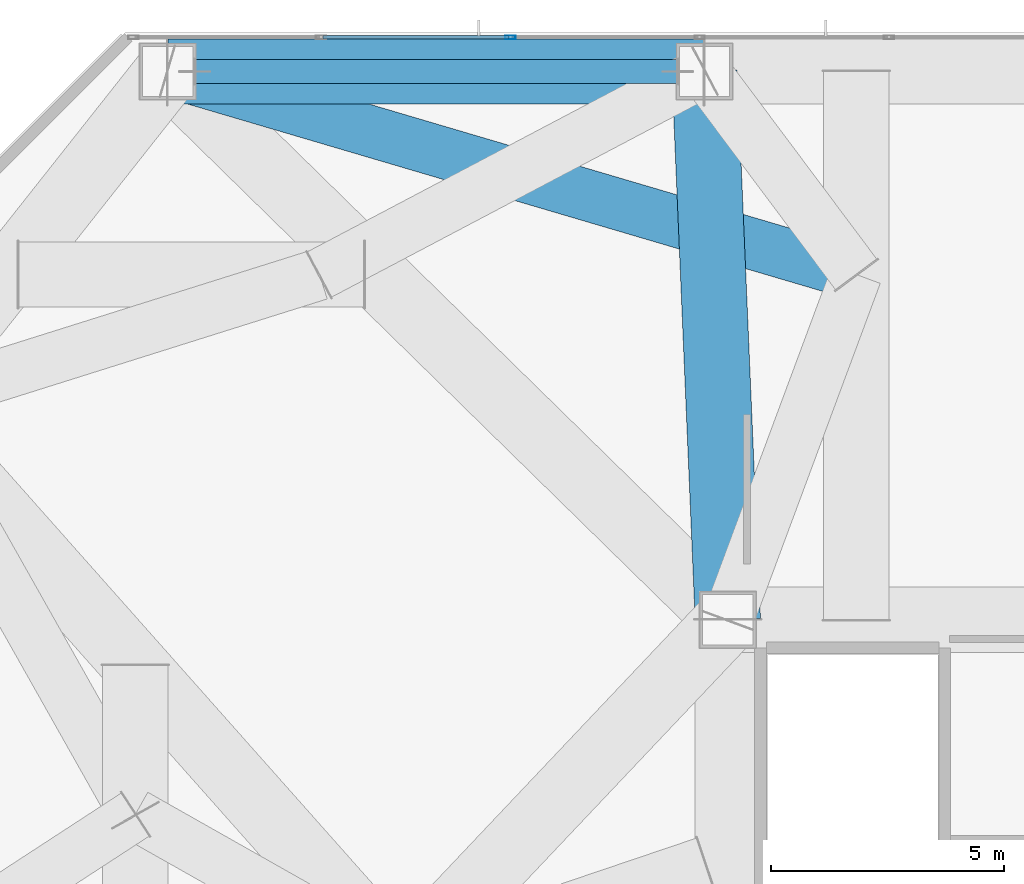
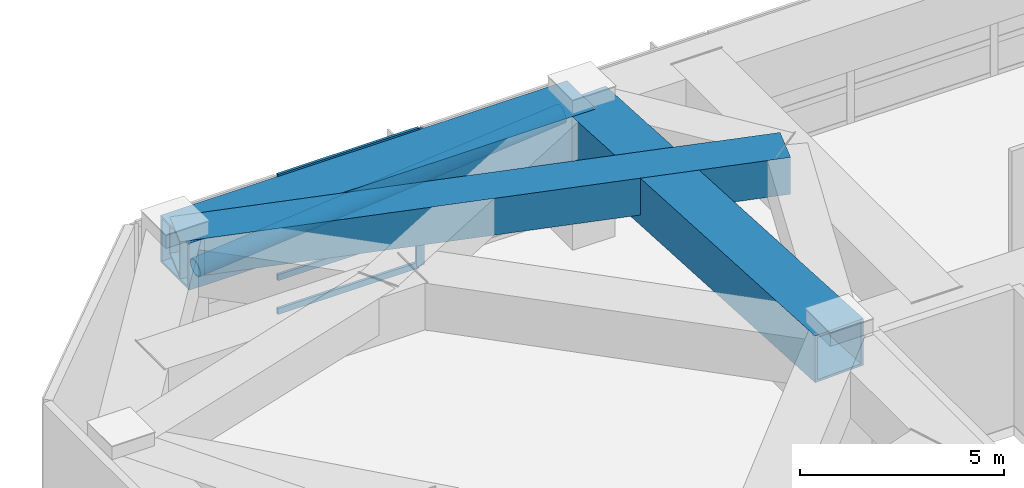
# One storey, part 5 of 27: 5 members, 3 beams, 1 element without a shape of its own.
"""IFC4 building model written with IfcOpenShell, lengths in metres."""

from ifc_helpers import new_model, si_unit, direction, frame, origin, origin_2d, place, context, subcontext, project, spatial, hollow_rectangle, hollow_circle, extrude, material, material_profile, profile_set, type_object, element, aggregate, save


model = new_model("IFC4")

# Units and contexts
model_context = context("Model", 3, precision=1e-05, world=origin(), true_north=direction((0.0, 1.0)))
body_context = subcontext(model_context, "Body", "Model", "MODEL_VIEW")
ifc_project = project(units=[si_unit("LENGTHUNIT", "METRE"), si_unit("AREAUNIT", "SQUARE_METRE"), si_unit("VOLUMEUNIT", "CUBIC_METRE"), si_unit("PLANEANGLEUNIT", "RADIAN"), si_unit("MASSUNIT", "GRAM", prefix="KILO")], contexts=[model_context])

# Site, building, storey
site_placement = place(None, origin())
site = spatial("IfcSite", under=ifc_project, at=site_placement, CompositionType="ELEMENT")
building_placement = place(site_placement, origin())
building = spatial("IfcBuilding", under=site, at=building_placement, Name="Khamvora Tower", CompositionType="ELEMENT")
storey_placement = place(building_placement, frame((0.0, 0.0, 28.800048828125)))
storey = spatial("IfcBuildingStorey", under=building, at=storey_placement, Name="L06", CompositionType="ELEMENT", Elevation=28.800048828125)

# Beams
ifc_material_1 = material(Name="Steel S460", Category="steel")
ifc_material_profile_1 = material_profile(ifc_material_1, hollow_rectangle(XDim=1.10009765625, YDim=1.10009765625, WallThickness=0.054931640625, at=origin_2d()), Name="BOX1100x1100x55")
ifc_profile_set_1 = profile_set([ifc_material_profile_1], Name="Steel S460")
beam_type_1 = type_object("IfcBeamType", Name="BM-TG-BOX1100", PredefinedType="BEAM", material=ifc_profile_set_1)
beam_1_placement = place(storey_placement, frame((6.5, 55.14990234375, 3.530029296875), z_axis=(0.959160733095, -0.282861605892, 0.0), x_axis=(0.282861605892, 0.959160733095, 0.0)))
element("IfcBeam", 1, at=beam_1_placement, inside=storey, type_object=beam_type_1, Name="L06 setback frame transfer frame transfer link N2.3", PredefinedType="BEAM", context=body_context, shape_type="SweptSolid", body=[
    extrude(hollow_rectangle(XDim=1.10009765625, YDim=1.10009765625, WallThickness=0.054931640625, at=origin_2d()), origin(), (0.0, 0.0, 1.0), 15.3779296875),
])
ifc_material_profile_2 = material_profile(ifc_material_1, hollow_rectangle(XDim=1.39990234375, YDim=1.39990234375, WallThickness=0.070068359375, at=origin_2d()), Name="BOX1400x1400x70")
ifc_profile_set_2 = profile_set([ifc_material_profile_2], Name="Steel S460")
beam_type_2 = type_object("IfcBeamType", Name="BM-TG-BOX1400", PredefinedType="BEAM", material=ifc_profile_set_2)
beam_2_placement = place(storey_placement, frame((18.0, 55.14990234375, 3.3798828125), z_axis=(-1.0, 0.0, 0.0), x_axis=(0.0, -1.0, 0.0)))
element("IfcBeam", 2, at=beam_2_placement, inside=storey, type_object=beam_type_2, Name="L06 perimeter spandrel beam P06-P05", PredefinedType="BEAM", context=body_context, shape_type="SweptSolid", body=[
    extrude(hollow_rectangle(XDim=1.39990234375, YDim=1.39990234375, WallThickness=0.070068359375, at=origin_2d()), origin(), (0.0, 0.0, 1.0), 11.5),
])
beam_3_placement = place(storey_placement, frame((18.5, 43.39990234375, 3.3798828125), z_axis=(-0.042514716625, 0.999095840683, 0.0), x_axis=(-0.999095840683, -0.042514716625, 0.0)))
element("IfcBeam", 3, at=beam_3_placement, inside=storey, type_object=beam_type_2, Name="L06 primary floor girder P06", PredefinedType="BEAM", context=body_context, shape_type="SweptSolid", body=[
    extrude(hollow_rectangle(XDim=1.39990234375, YDim=1.39990234375, WallThickness=0.070068359375, at=origin_2d()), origin(), (0.0, 0.0, 1.0), 11.7607421875),
])

# Curtain wall, members
ifc_material_2 = material(Name="Anodised Aluminium 6063-T6", Category="aluminium")
curtain_wall_type = type_object("IfcCurtainWallType", Name="CW-SYS-01", PredefinedType="NOTDEFINED", material=ifc_material_2)
curtain_wall_placement = place(storey_placement, origin())
curtain_wall = element("IfcCurtainWall", 4, at=curtain_wall_placement, inside=storey, type_object=curtain_wall_type, Name="L06 stick curtain wall 07.1", PredefinedType="NOTDEFINED")
ifc_material_profile_3 = material_profile(ifc_material_2, hollow_rectangle(XDim=0.074951171875, YDim=0.219970703125, WallThickness=0.0048828125, at=origin_2d()), Name="MUL75x220x5")
ifc_profile_set_3 = profile_set([ifc_material_profile_3], Name="Anodised Aluminium 6063-T6")
member_type_1 = type_object("IfcMemberType", Name="CW-SYS-01-MUL", PredefinedType="MULLION", material=ifc_profile_set_3)
member_1_placement = place(storey_placement, frame((13.84033203125, 55.8798828125, 0.0), z_axis=(0.0, 0.0, 1.0), x_axis=(0.0, 1.0, 0.0)))
member_1 = element("IfcMember", 5, at=member_1_placement, type_object=member_type_1, Name="CW-01 mullion 3", PredefinedType="MULLION", context=body_context, shape_type="SweptSolid", body=[
    extrude(hollow_rectangle(XDim=0.074951171875, YDim=0.219970703125, WallThickness=0.0048828125, at=origin_2d()), origin(), (0.0, 0.0, 1.0), 4.079833984375),
])
ifc_material_profile_4 = material_profile(ifc_material_2, hollow_rectangle(XDim=0.074951171875, YDim=0.179931640625, WallThickness=0.0048828125, at=origin_2d()), Name="TRN75x180x5")
ifc_profile_set_4 = profile_set([ifc_material_profile_4], Name="Anodised Aluminium 6063-T6")
member_type_2 = type_object("IfcMemberType", Name="CW-SYS-01-TRN", PredefinedType="USERDEFINED", material=ifc_profile_set_4)
member_2_placement = place(storey_placement, frame((9.821044921875, 55.8798828125, 0.037353515625), z_axis=(1.0, 0.0, 0.0), x_axis=(0.0, 1.0, 0.0)))
member_2 = element("IfcMember", 6, at=member_2_placement, type_object=member_type_2, Name="CW-01 transom 2.1", ObjectType="TRANSOM", PredefinedType="USERDEFINED", context=body_context, shape_type="SweptSolid", body=[
    extrude(hollow_rectangle(XDim=0.074951171875, YDim=0.179931640625, WallThickness=0.0048828125, at=origin_2d()), origin(), (0.0, 0.0, 1.0), 3.981689453125),
])
member_3_placement = place(storey_placement, frame((9.821044921875, 55.8798828125, 1.050048828125), z_axis=(1.0, 0.0, 0.0), x_axis=(0.0, 1.0, 0.0)))
member_3 = element("IfcMember", 7, at=member_3_placement, type_object=member_type_2, Name="CW-01 transom 2.2", ObjectType="TRANSOM", PredefinedType="USERDEFINED", context=body_context, shape_type="SweptSolid", body=[
    extrude(hollow_rectangle(XDim=0.074951171875, YDim=0.179931640625, WallThickness=0.0048828125, at=origin_2d()), origin(), (0.0, 0.0, 1.0), 3.981689453125),
])
member_4_placement = place(storey_placement, frame((9.821044921875, 55.8798828125, 4.04248046875), z_axis=(1.0, 0.0, 0.0), x_axis=(0.0, 1.0, 0.0)))
member_4 = element("IfcMember", 8, at=member_4_placement, type_object=member_type_2, Name="CW-01 transom 2.3", ObjectType="TRANSOM", PredefinedType="USERDEFINED", context=body_context, shape_type="SweptSolid", body=[
    extrude(hollow_rectangle(XDim=0.074951171875, YDim=0.179931640625, WallThickness=0.0048828125, at=origin_2d()), origin(), (0.0, 0.0, 1.0), 3.981689453125),
])
aggregate(curtain_wall, [member_1, member_2, member_3, member_4])

# Member
ifc_material_profile_5 = material_profile(ifc_material_1, hollow_circle(Radius=0.25390625, WallThickness=0.02490234375, at=origin_2d()), Name="CHS508x25")
ifc_profile_set_5 = profile_set([ifc_material_profile_5], Name="Steel S460")
member_type_3 = type_object("IfcMemberType", Name="MEM-BR-CHS508", PredefinedType="BRACE", material=ifc_profile_set_5)
member_5_placement = place(storey_placement, frame((7.076904296875, 55.14990234375, 2.73486328125), z_axis=(0.995524249911, 0.0, 0.094506443376), x_axis=(0.0, 1.0, 0.0)))
element("IfcMember", 9, at=member_5_placement, inside=storey, type_object=member_type_3, Name="L06 perimeter wind brace 3", PredefinedType="BRACE", context=body_context, shape_type="SweptSolid", body=[
    extrude(hollow_circle(Radius=0.25390625, WallThickness=0.02490234375, at=origin_2d()), origin(), (0.0, 0.0, 1.0), 10.392822265625),
])

save(model, "model.ifc")
